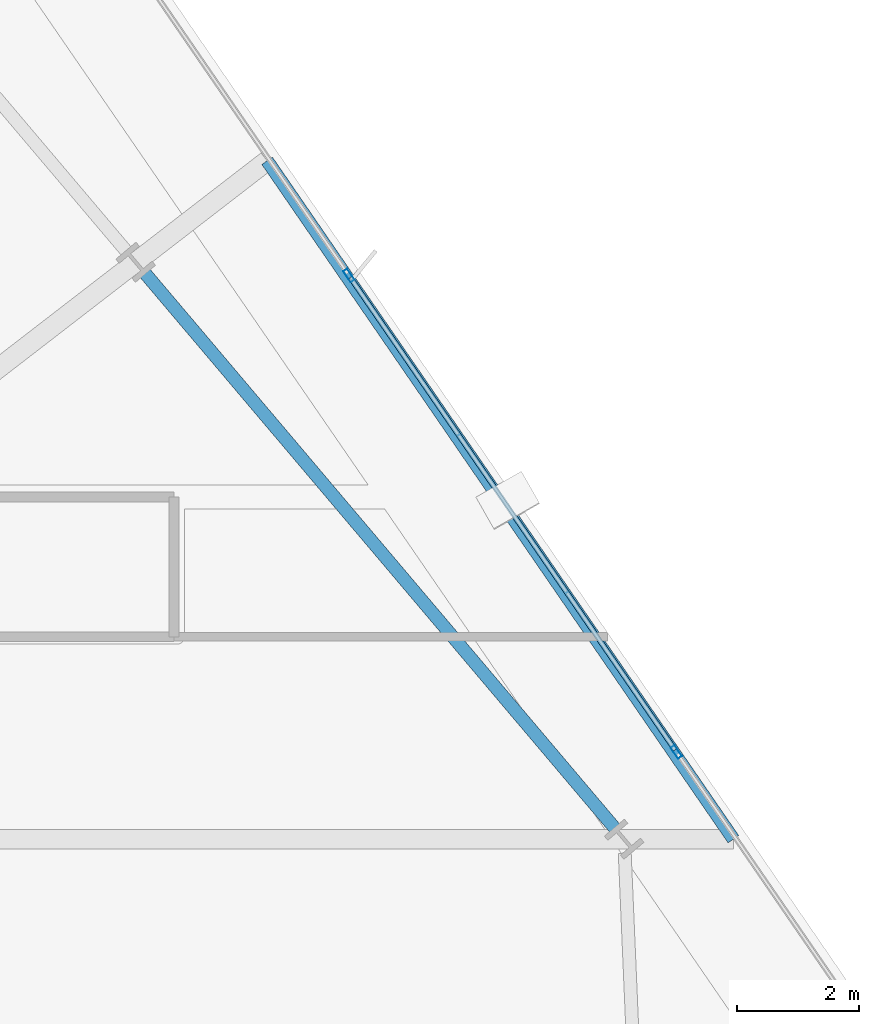
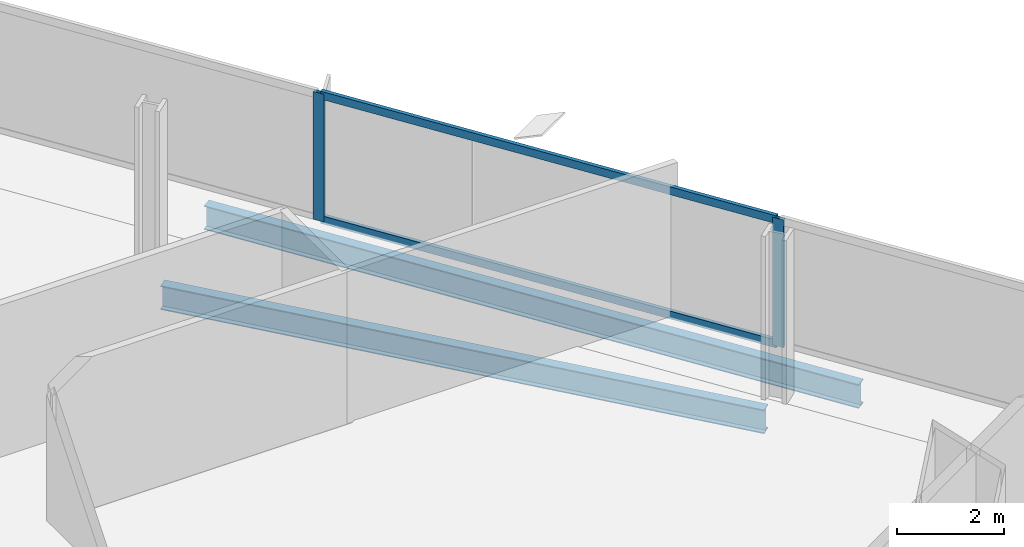
# One storey, part 17 of 29: 4 members, 2 beams, 1 element without a shape of its own.
"""IFC4 building model written with IfcOpenShell, lengths in metres."""

from ifc_helpers import new_model, si_unit, direction, frame, origin, origin_2d, place, context, subcontext, project, spatial, hollow_rectangle, i_section, extrude, material, material_profile, profile_set, type_object, element, aggregate, save


model = new_model("IFC4")

# Units and contexts
model_context = context("Model", 3, precision=1e-05, world=origin(), true_north=direction((0.0, 1.0)))
body_context = subcontext(model_context, "Body", "Model", "MODEL_VIEW")
ifc_project = project(units=[si_unit("LENGTHUNIT", "METRE"), si_unit("AREAUNIT", "SQUARE_METRE"), si_unit("VOLUMEUNIT", "CUBIC_METRE"), si_unit("PLANEANGLEUNIT", "RADIAN"), si_unit("MASSUNIT", "GRAM", prefix="KILO")], contexts=[model_context])

# Site, building, storey
site_placement = place(None, origin())
site = spatial("IfcSite", under=ifc_project, at=site_placement, CompositionType="ELEMENT")
building_placement = place(site_placement, origin())
building = spatial("IfcBuilding", under=site, at=building_placement, Name="Haldenkirk Collegiate Tower", CompositionType="ELEMENT")
storey_placement = place(building_placement, frame((0.0, 0.0, 144.449951171875)))
storey = spatial("IfcBuildingStorey", under=building, at=storey_placement, Name="L35", CompositionType="ELEMENT", Elevation=144.449951171875)

# Beams
ifc_material_1 = material(Name="Steel ASTM A992 Grade 50", Category="steel")
ifc_material_profile_1 = material_profile(ifc_material_1, i_section(OverallWidth=0.2119140625, OverallDepth=0.5439453125, WebThickness=0.01318359375, FlangeThickness=0.021240234375, at=origin_2d()), Name="W21X83")
ifc_profile_set_1 = profile_set([ifc_material_profile_1], Name="Steel ASTM A992 Grade 50")
beam_type = type_object("IfcBeamType", Name="BM-SPANDREL-W21X83", PredefinedType="SPANDREL", material=ifc_profile_set_1)
beam_1_placement = place(storey_placement, frame((61.051513671875, 30.998779296875, -0.56201171875), z_axis=(-0.646116898468, 0.763238464383, 0.0), x_axis=(-0.763238464383, -0.646116898468, 0.0)))
element("IfcBeam", 1, at=beam_1_placement, inside=storey, type_object=beam_type, Name="L35 perimeter spandrel beam 06", PredefinedType="SPANDREL", context=body_context, shape_type="SweptSolid", body=[
    extrude(i_section(OverallWidth=0.2119140625, OverallDepth=0.5439453125, WebThickness=0.01318359375, FlangeThickness=0.021240234375, at=origin_2d()), origin(), (0.0, 0.0, 1.0), 11.967041015625),
])
beam_2_placement = place(storey_placement, frame((62.995361328125, 30.82421875, -0.56201171875), z_axis=(-0.566416246602, 0.824119309072, 0.0), x_axis=(-0.824119309072, -0.566416246602, 0.0)))
element("IfcBeam", 2, at=beam_2_placement, inside=storey, type_object=beam_type, Name="L35 outer facade edge beam 2", PredefinedType="SPANDREL", context=body_context, shape_type="SweptSolid", body=[
    extrude(i_section(OverallWidth=0.2119140625, OverallDepth=0.5439453125, WebThickness=0.01318359375, FlangeThickness=0.021240234375, at=origin_2d()), origin(), (0.0, 0.0, 1.0), 13.5302734375),
])

# Curtain wall, members
ifc_material_2 = material(Name="Anodised architectural bronze aluminium", Category="aluminium")
curtain_wall_type = type_object("IfcCurtainWallType", Name="CW-SYS1-CONVEX-LOW", PredefinedType="USERDEFINED", material=ifc_material_2)
curtain_wall_placement = place(storey_placement, origin())
curtain_wall = element("IfcCurtainWall", 3, at=curtain_wall_placement, inside=storey, type_object=curtain_wall_type, Name="L35 Lower tower convex bronze-framed unitised curtain wall", ObjectType="UNITISED CURTAIN WALL", PredefinedType="USERDEFINED")
ifc_material_profile_2 = material_profile(ifc_material_2, hollow_rectangle(XDim=0.080078125, YDim=0.219970703125, WallThickness=0.0048828125, at=origin_2d()), Name="CW-MUL-1A")
ifc_profile_set_2 = profile_set([ifc_material_profile_2], Name="Anodised architectural bronze aluminium")
member_type_1 = type_object("IfcMemberType", Name="CW-MUL-1A", PredefinedType="MULLION", material=ifc_profile_set_2)
member_1_placement = place(storey_placement, frame((56.67626953125, 40.089111328125, 0.0), z_axis=(0.0, 0.0, 1.0), x_axis=(0.824126683962, 0.5664055162, 0.0)))
member_1 = element("IfcMember", 4, at=member_1_placement, type_object=member_type_1, Name="CW-1A mullion 3", PredefinedType="MULLION", context=body_context, shape_type="SweptSolid", body=[
    extrude(hollow_rectangle(XDim=0.080078125, YDim=0.219970703125, WallThickness=0.0048828125, at=origin_2d()), origin(), (0.0, 0.0, 1.0), 2.9111328125),
])
member_2_placement = place(storey_placement, frame((62.05712890625, 32.259765625, 0.0), z_axis=(0.0, 0.0, 1.0), x_axis=(0.824126683962, 0.5664055162, 0.0)))
member_2 = element("IfcMember", 5, at=member_2_placement, type_object=member_type_1, Name="CW-1A mullion 4", PredefinedType="MULLION", context=body_context, shape_type="SweptSolid", body=[
    extrude(hollow_rectangle(XDim=0.080078125, YDim=0.219970703125, WallThickness=0.0048828125, at=origin_2d()), origin(), (0.0, 0.0, 1.0), 2.9111328125),
])
ifc_material_profile_3 = material_profile(ifc_material_2, hollow_rectangle(XDim=0.080078125, YDim=0.179931640625, WallThickness=0.0048828125, at=origin_2d()), Name="CW-TRN-1A")
ifc_profile_set_3 = profile_set([ifc_material_profile_3], Name="Anodised architectural bronze aluminium")
member_type_2 = type_object("IfcMemberType", Name="CW-TRN-1A", PredefinedType="USERDEFINED", material=ifc_profile_set_3)
member_3_placement = place(storey_placement, frame((56.698974609375, 40.05615234375, 0.0400390625), z_axis=(0.566391323992, -0.824136437798, 0.0), x_axis=(0.824136437798, 0.566391323992, 0.0)))
member_3 = element("IfcMember", 6, at=member_3_placement, type_object=member_type_2, Name="CW-1A transom 3.1", ObjectType="TRANSOM", PredefinedType="USERDEFINED", context=body_context, shape_type="SweptSolid", body=[
    extrude(hollow_rectangle(XDim=0.080078125, YDim=0.179931640625, WallThickness=0.0048828125, at=origin_2d()), origin(), (0.0, 0.0, 1.0), 9.420166015625),
])
member_4_placement = place(storey_placement, frame((56.698974609375, 40.05615234375, 2.87109375), z_axis=(0.566391323992, -0.824136437798, 0.0), x_axis=(0.824136437798, 0.566391323992, 0.0)))
member_4 = element("IfcMember", 7, at=member_4_placement, type_object=member_type_2, Name="CW-1A transom 3.2", ObjectType="TRANSOM", PredefinedType="USERDEFINED", context=body_context, shape_type="SweptSolid", body=[
    extrude(hollow_rectangle(XDim=0.080078125, YDim=0.179931640625, WallThickness=0.0048828125, at=origin_2d()), origin(), (0.0, 0.0, 1.0), 9.420166015625),
])
aggregate(curtain_wall, [member_1, member_2, member_3, member_4])

save(model, "model.ifc")
